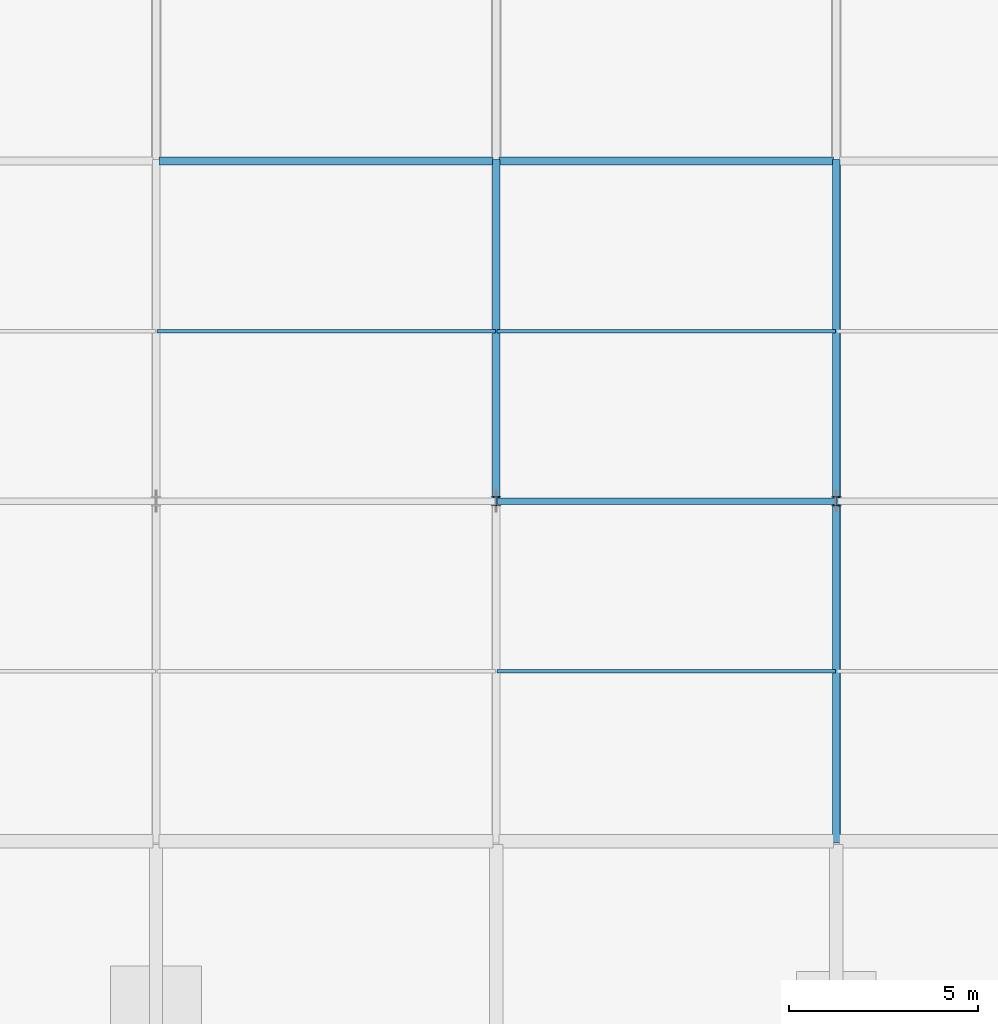
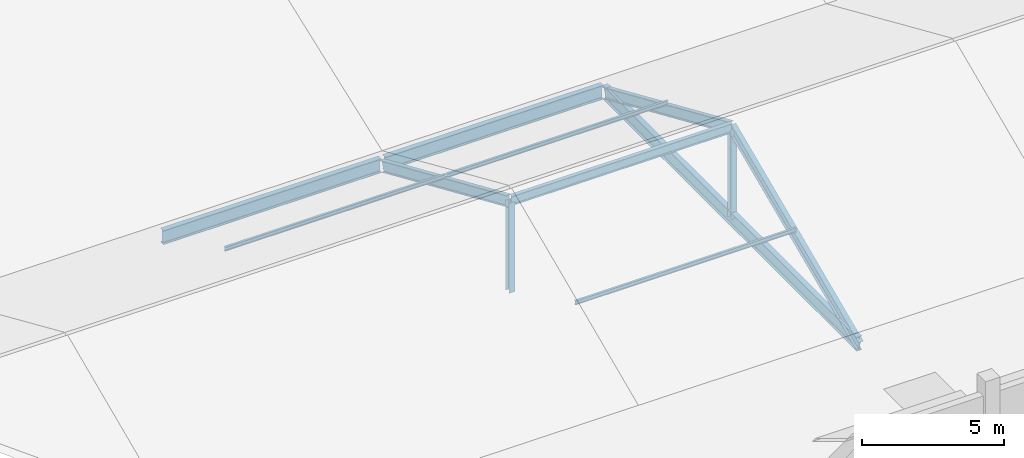
# One storey, part 19 of 163: 9 members, 3 beams.
"""IFC4 building model written with IfcOpenShell, lengths in metres."""

from ifc_helpers import new_model, si_unit, direction, frame, origin, origin_2d, place, context, subcontext, project, spatial, i_section, extrude, material, material_profile, profile_set, type_object, element, save


model = new_model("IFC4")

# Units and contexts
model_context = context("Model", 3, precision=1e-05, world=origin(), true_north=direction((0.0, 1.0)))
body_context = subcontext(model_context, "Body", "Model", "MODEL_VIEW")
ifc_project = project(units=[si_unit("LENGTHUNIT", "METRE"), si_unit("AREAUNIT", "SQUARE_METRE"), si_unit("VOLUMEUNIT", "CUBIC_METRE"), si_unit("PLANEANGLEUNIT", "RADIAN"), si_unit("MASSUNIT", "GRAM", prefix="KILO")], contexts=[model_context])

# Site, building, storey
site_placement = place(None, origin())
site = spatial("IfcSite", under=ifc_project, at=site_placement, CompositionType="ELEMENT")
building_placement = place(site_placement, origin())
building = spatial("IfcBuilding", under=site, at=building_placement, Name="Tharagai Park Tramway Depot", CompositionType="ELEMENT")
storey_placement = place(building_placement, frame((0.0, 0.0, 8.39990234375)))
storey = spatial("IfcBuildingStorey", under=building, at=storey_placement, Name="L02", CompositionType="ELEMENT", Elevation=8.39990234375)

# Beams
ifc_material_1 = material(Name="Steel E350", Category="steel")
ifc_material_profile_1 = material_profile(ifc_material_1, i_section(OverallWidth=0.2099609375, OverallDepth=0.60009765625, WebThickness=0.011962890625, FlangeThickness=0.020751953125, FilletRadius=0.02001953125, at=origin_2d()), Name="ISMB 600")
ifc_profile_set_1 = profile_set([ifc_material_profile_1], Name="Steel E350")
beam_type = type_object("IfcBeamType", Name="BM-10", PredefinedType="BEAM", material=ifc_profile_set_1)
for number, where, z_axis, x_axis, name in (
    (1, (27.080078125, 63.0, -0.5498046875), (1.0, 0.0, 0.0), (0.0, 1.0, 0.0), "V2A Roof Eave Girder BM-10"),
    (2, (36.080078125, 63.0, -0.5498046875), (1.0, 0.0, 0.0), (0.0, 1.0, 0.0), "V2A Roof Eave Girder BM-10"),
):
    element("IfcBeam", number, at=place(storey_placement, frame(where, z_axis=z_axis, x_axis=x_axis)), inside=storey, type_object=beam_type, Name=name, PredefinedType="BEAM", context=body_context, shape_type="SweptSolid", body=[
        extrude(i_section(OverallWidth=0.2099609375, OverallDepth=0.60009765625, WebThickness=0.011962890625, FlangeThickness=0.020751953125, FilletRadius=0.02001953125, at=origin_2d()), origin(), (0.0, 0.0, 1.0), 8.83984375),
    ])
beam_placement = place(storey_placement, frame((45.0, 45.080078125, -0.5498046875), z_axis=(0.0, 1.0, 0.0), x_axis=(-1.0, 0.0, 0.0)))
element("IfcBeam", 3, at=beam_placement, inside=storey, type_object=beam_type, Name="V2A Gable Tie Girder BM-10", PredefinedType="BEAM", context=body_context, shape_type="SweptSolid", body=[
    extrude(i_section(OverallWidth=0.2099609375, OverallDepth=0.60009765625, WebThickness=0.011962890625, FlangeThickness=0.020751953125, FilletRadius=0.02001953125, at=origin_2d()), origin(), (0.0, 0.0, 1.0), 17.83984375),
])

# Members
ifc_material_profile_2 = material_profile(ifc_material_1, i_section(OverallWidth=0.25, OverallDepth=0.25, WebThickness=0.0087890625, FlangeThickness=0.009765625, FilletRadius=0.010009765625, at=origin_2d()), Name="ISHB 250")
ifc_profile_set_2 = profile_set([ifc_material_profile_2], Name="Steel E350")
member_type_1 = type_object("IfcMemberType", Name="BR-01", PredefinedType="BRACE", material=ifc_profile_set_2)
for number, where, z_axis, x_axis, name in (
    (4, (36.0, 54.0, -0.5498046875), (0.0, 0.0, 1.0), (1.0, 0.0, 0.0), "V2A Gable King Strut BR-01"),
    (5, (45.0, 54.0, -0.5498046875), (0.0, 0.0, 1.0), (1.0, 0.0, 0.0), "V2A Gable King Strut BR-01"),
):
    element("IfcMember", number, at=place(storey_placement, frame(where, z_axis=z_axis, x_axis=x_axis)), inside=storey, type_object=member_type_1, Name=name, PredefinedType="BRACE", context=body_context, shape_type="SweptSolid", body=[
        extrude(i_section(OverallWidth=0.25, OverallDepth=0.25, WebThickness=0.0087890625, FlangeThickness=0.009765625, FilletRadius=0.010009765625, at=origin_2d()), origin(), (0.0, 0.0, 1.0), 3.85791015625),
    ])
ifc_material_2 = material(Name="Steel E250", Category="steel")
ifc_material_profile_3 = material_profile(ifc_material_2, i_section(OverallWidth=0.090087890625, OverallDepth=0.175048828125, WebThickness=0.005615234375, FlangeThickness=0.009033203125, FilletRadius=0.010009765625, at=origin_2d()), Name="ISMB 175")
ifc_profile_set_3 = profile_set([ifc_material_profile_3], Name="Steel E250")
member_type_2 = type_object("IfcMemberType", Name="PR-01", PredefinedType="PURLIN", material=ifc_profile_set_3)
for number, where, z_axis, x_axis, name in (
    (6, (27.02001953125, 58.5, 1.6689453125), (1.0, 0.0, 0.0), (0.0, 1.0, 0.0), "V2A Roof Purlin PR-01"),
    (7, (36.02001953125, 49.5, 1.6689453125), (1.0, 0.0, 0.0), (0.0, 1.0, 0.0), "V2A Roof Purlin PR-01"),
    (8, (36.02001953125, 58.5, 1.6689453125), (1.0, 0.0, 0.0), (0.0, 1.0, 0.0), "V2A Roof Purlin PR-01"),
):
    element("IfcMember", number, at=place(storey_placement, frame(where, z_axis=z_axis, x_axis=x_axis)), inside=storey, type_object=member_type_2, Name=name, PredefinedType="PURLIN", context=body_context, shape_type="SweptSolid", body=[
        extrude(i_section(OverallWidth=0.090087890625, OverallDepth=0.175048828125, WebThickness=0.005615234375, FlangeThickness=0.009033203125, FilletRadius=0.010009765625, at=origin_2d()), origin(), (0.0, 0.0, 1.0), 8.9599609375),
    ])
ifc_material_profile_4 = material_profile(ifc_material_1, i_section(OverallWidth=0.199951171875, OverallDepth=0.449951171875, WebThickness=0.00927734375, FlangeThickness=0.015380859375, FilletRadius=0.014892578125, at=origin_2d()), Name="ISWB 450")
ifc_profile_set_4 = profile_set([ifc_material_profile_4], Name="Steel E350")
member_type_3 = type_object("IfcMemberType", Name="RF-03", PredefinedType="RAFTER", material=ifc_profile_set_4)
for number, where, z_axis, x_axis, name in (
    (9, (36.0, 54.0, 3.30810546875), (0.0, 0.916242784214, -0.400623464584), (-1.0, 0.0, 0.0), "V2A Pitched Rafter RF-03 North"),
    (10, (45.0, 45.050048828125, -0.605224609375), (0.0, 0.916242784214, 0.400623464584), (-1.0, 0.0, 0.0), "V2A Pitched Rafter RF-03 South"),
    (11, (45.0, 54.0, 3.30810546875), (0.0, 0.916242784214, -0.400623464584), (-1.0, 0.0, 0.0), "V2A Pitched Rafter RF-03 North"),
):
    element("IfcMember", number, at=place(storey_placement, frame(where, z_axis=z_axis, x_axis=x_axis)), inside=storey, type_object=member_type_3, Name=name, PredefinedType="RAFTER", context=body_context, shape_type="SweptSolid", body=[
        extrude(i_section(OverallWidth=0.199951171875, OverallDepth=0.449951171875, WebThickness=0.00927734375, FlangeThickness=0.015380859375, FilletRadius=0.014892578125, at=origin_2d()), origin(), (0.0, 0.0, 1.0), 9.76806640625),
    ])
ifc_material_profile_5 = material_profile(ifc_material_1, i_section(OverallWidth=0.1650390625, OverallDepth=0.39990234375, WebThickness=0.008056640625, FlangeThickness=0.012451171875, FilletRadius=0.013916015625, at=origin_2d()), Name="ISLB 400")
ifc_profile_set_5 = profile_set([ifc_material_profile_5], Name="Steel E350")
member_type_4 = type_object("IfcMemberType", Name="TC-04", PredefinedType="CHORD", material=ifc_profile_set_5)
member_placement = place(storey_placement, frame((36.0400390625, 54.0, 3.3330078125), z_axis=(1.0, 0.0, 0.0), x_axis=(0.0, 1.0, 0.0)))
element("IfcMember", 12, at=member_placement, inside=storey, type_object=member_type_4, Name="V2A Roof Ridge Chord TC-04", PredefinedType="CHORD", context=body_context, shape_type="SweptSolid", body=[
    extrude(i_section(OverallWidth=0.1650390625, OverallDepth=0.39990234375, WebThickness=0.008056640625, FlangeThickness=0.012451171875, FilletRadius=0.013916015625, at=origin_2d()), origin(), (0.0, 0.0, 1.0), 8.919921875),
])

save(model, "model.ifc")
